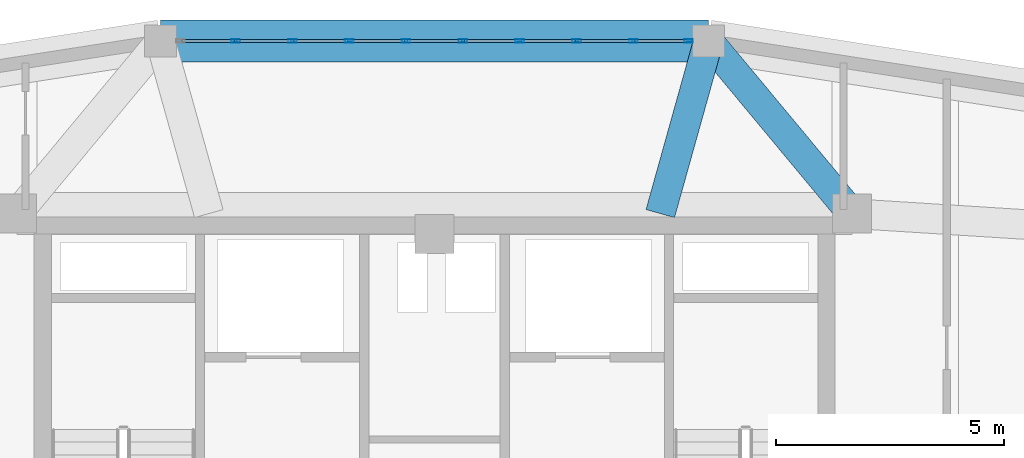
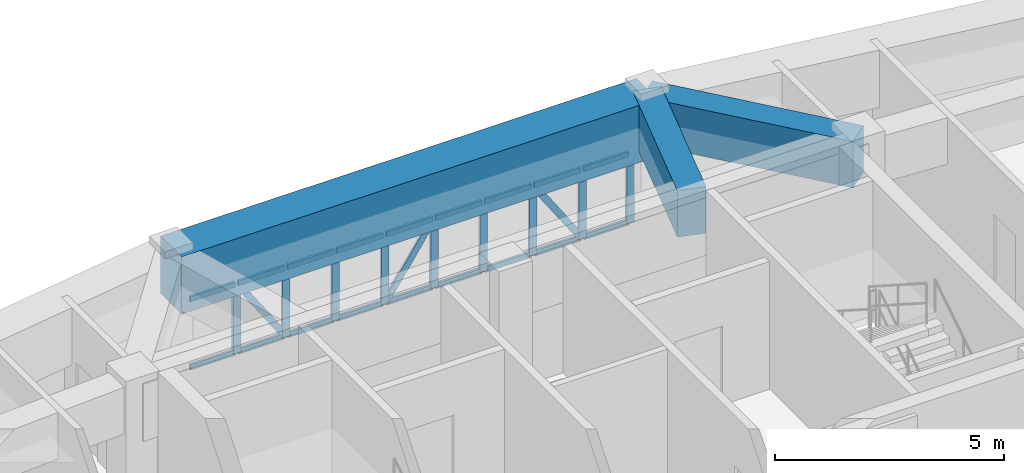
# One storey, part 11 of 15: 30 members, 3 beams, 1 element without a shape of its own.
"""IFC4 building model written with IfcOpenShell, lengths in metres."""

import ifcopenshell
import ifcopenshell.guid

model = None  # the IFC model being written
_history = None  # IfcOwnerHistory: only IFC2X3 demands one
_inside = {}  # id of a spatial element -> (the spatial element, [elements in it])
_under = {}  # id of a project, library or spatial element -> (it, [spatial elements below it])
_declared = {}  # id of a project -> (the project, [libraries it declares])
_typed = {}  # id of a type object -> (the type object, [elements of that type])
_made_of = {}  # id of a material, layer set ... -> (it, [elements and type objects made of it])


def new_model(schema):
    """Start an empty IFC model of exactly this schema.

    Asked for "IFC4X3", IfcOpenShell would pick the latest addendum, in which some entities
    have other attributes; the version numbers below select the first issue.
    IFC2X3 requires an IfcOwnerHistory on every rooted entity: one is made here for all.
    """
    global model, _history
    if schema == "IFC4X3":
        model = ifcopenshell.file(schema_version=(4, 3, 0, 0))
    else:
        model = ifcopenshell.file(schema=schema)
    _inside.clear()
    _under.clear()
    _declared.clear()
    _typed.clear()
    _made_of.clear()
    _history = None
    if model.schema == "IFC2X3":
        org = make("IfcOrganization", Name="unknown")
        user = make(
            "IfcPersonAndOrganization",
            ThePerson=make("IfcPerson", FamilyName="unknown"),
            TheOrganization=org,
        )
        app = make(
            "IfcApplication",
            ApplicationDeveloper=org,
            Version="unknown",
            ApplicationFullName="unknown",
            ApplicationIdentifier="unknown",
        )
        _history = make(
            "IfcOwnerHistory",
            OwningUser=user,
            OwningApplication=app,
            ChangeAction="ADDED",
            CreationDate=0,
        )
    return model


def make(cls, **values):
    """One entity of the class cls with the attributes given. An attribute that is None is left unset."""
    return model.create_entity(
        cls, **{name: value for name, value in values.items() if value is not None}
    )


def rooted(cls, **values):
    """An entity with a GlobalId (a new one), such as an element, a storey or a relation."""
    return make(cls, GlobalId=ifcopenshell.guid.new(), OwnerHistory=_history, **values)


def si_unit(unit_type, name, prefix=None):
    """IfcSIUnit, for example si_unit("LENGTHUNIT", "METRE", prefix="MILLI")."""
    return make("IfcSIUnit", UnitType=unit_type, Prefix=prefix, Name=name)


def derived_unit(unit_type, elements):
    """IfcDerivedUnit: a product of units, each with its exponent."""
    return make(
        "IfcDerivedUnit",
        Elements=[
            make("IfcDerivedUnitElement", Unit=unit, Exponent=power)
            for unit, power in elements
        ],
        UnitType=unit_type,
    )


def assignment(units):
    """IfcUnitAssignment: the units of a project."""
    return None if units is None else make("IfcUnitAssignment", Units=units)


def point(xyz):
    """IfcCartesianPoint."""
    return None if xyz is None else make("IfcCartesianPoint", Coordinates=xyz)


def direction(xyz):
    """IfcDirection."""
    return None if xyz is None else make("IfcDirection", DirectionRatios=xyz)


def frame(location, z_axis=None, x_axis=None):
    """IfcAxis2Placement3D, a coordinate frame: its origin and axes. An axis left out is left unset."""
    return make(
        "IfcAxis2Placement3D",
        Location=point(location),
        Axis=direction(z_axis),
        RefDirection=direction(x_axis),
    )


def frame_2d(location, x_axis=None):
    """IfcAxis2Placement2D, a coordinate frame in the plane: its origin and x axis."""
    return make(
        "IfcAxis2Placement2D", Location=point(location), RefDirection=direction(x_axis)
    )


def origin():
    """The frame at (0, 0, 0) with its axes left unset."""
    return frame((0.0, 0.0, 0.0))


def origin_2d():
    """The frame at (0, 0) in the plane with its x axis left unset."""
    return frame_2d((0.0, 0.0))


def place(relative_to, where):
    """IfcLocalPlacement: puts the frame where relative to a parent placement (None: the world)."""
    return make(
        "IfcLocalPlacement", PlacementRelTo=relative_to, RelativePlacement=where
    )


def context(
    kind, dimensions, precision=None, world=None, true_north=None, identifier=None
):
    """IfcGeometricRepresentationContext, for example the 3D "Model" context."""
    return make(
        "IfcGeometricRepresentationContext",
        ContextIdentifier=identifier,
        ContextType=kind,
        CoordinateSpaceDimension=dimensions,
        Precision=precision,
        WorldCoordinateSystem=world,
        TrueNorth=true_north,
    )


def subcontext(parent, identifier, kind, view, scale=None):
    """IfcGeometricRepresentationSubContext, for example "Body" below "Model"."""
    return make(
        "IfcGeometricRepresentationSubContext",
        ContextIdentifier=identifier,
        ContextType=kind,
        ParentContext=parent,
        TargetScale=scale,
        TargetView=view,
    )


def project(units=None, contexts=None):
    """IfcProject with its units and contexts."""
    return rooted(
        "IfcProject",
        Name="project",
        RepresentationContexts=contexts,
        UnitsInContext=assignment(units),
    )


def spatial(cls, under=None, at=None, **own):
    """A site, building, storey or space (cls), placed at a placement, below another one or the project."""
    s = rooted(cls, ObjectPlacement=at, **own)
    if under is not None:
        _under.setdefault(under.id(), (under, []))[1].append(s)
    return s


def profile(cls, at=None, kind="AREA", **sizes):
    """A parametric profile (cls). Its sizes go by their IFC names, for example OverallWidth=200.0."""
    return make(cls, ProfileType=kind, Position=at, **sizes)


def rectangle(**sizes):
    """IfcRectangleProfileDef."""
    return profile("IfcRectangleProfileDef", **sizes)


def hollow_rectangle(**sizes):
    """IfcRectangleHollowProfileDef."""
    return profile("IfcRectangleHollowProfileDef", **sizes)


def extrude(swept, where, along, depth):
    """IfcExtrudedAreaSolid: the profile swept, set in the frame where, extruded along a direction by depth."""
    return make(
        "IfcExtrudedAreaSolid",
        SweptArea=swept,
        Position=where,
        ExtrudedDirection=direction(along),
        Depth=depth,
    )


def shape(context_of_items, identifier, shape_type, items):
    """IfcShapeRepresentation: the items that make up one representation, for example the "Body"."""
    return make(
        "IfcShapeRepresentation",
        ContextOfItems=context_of_items,
        RepresentationIdentifier=identifier,
        RepresentationType=shape_type,
        Items=items,
    )


def source(mapping_origin, context_of_items, identifier, shape_type, items):
    """IfcRepresentationMap: a shape defined once, which mapped items show again and again."""
    return make(
        "IfcRepresentationMap",
        MappingOrigin=mapping_origin,
        MappedRepresentation=shape(context_of_items, identifier, shape_type, items),
    )


def transform(
    local_origin,
    x_axis=None,
    y_axis=None,
    z_axis=None,
    scale=None,
    scale2=None,
    scale3=None,
    uniform=True,
):
    """IfcCartesianTransformationOperator3D, or its non-uniform kind. x_axis, y_axis, z_axis: its Axis1, 2, 3."""
    if uniform:
        return make(
            "IfcCartesianTransformationOperator3D",
            Axis1=direction(x_axis),
            Axis2=direction(y_axis),
            LocalOrigin=point(local_origin),
            Scale=scale,
            Axis3=direction(z_axis),
        )
    return make(
        "IfcCartesianTransformationOperator3DnonUniform",
        Axis1=direction(x_axis),
        Axis2=direction(y_axis),
        LocalOrigin=point(local_origin),
        Scale=scale,
        Axis3=direction(z_axis),
        Scale2=scale2,
        Scale3=scale3,
    )


def mapped(mapping_source, mapping_target):
    """IfcMappedItem: shows the shape of a source again, moved by a transform."""
    return make(
        "IfcMappedItem", MappingSource=mapping_source, MappingTarget=mapping_target
    )


def material(Name=None, Category=None):
    """IfcMaterial."""
    return make("IfcMaterial", Name=Name, Category=Category)


def layer(
    of_material, thickness, ventilated=None, Name=None, Category=None, Priority=None
):
    """IfcMaterialLayer: one layer of a wall or slab, of a material (None: an air gap)."""
    return make(
        "IfcMaterialLayer",
        Material=of_material,
        LayerThickness=thickness,
        IsVentilated=ventilated,
        Name=Name,
        Category=Category,
        Priority=Priority,
    )


def layer_set(layers, Name=None):
    """IfcMaterialLayerSet."""
    return make("IfcMaterialLayerSet", MaterialLayers=layers, LayerSetName=Name)


def material_profile(
    of_material, cross_section, Name=None, Category=None, Priority=None
):
    """IfcMaterialProfile: a cross section and its material."""
    return make(
        "IfcMaterialProfile",
        Name=Name,
        Material=of_material,
        Profile=cross_section,
        Priority=Priority,
        Category=Category,
    )


def profile_set(profiles, Name=None, composite=None):
    """IfcMaterialProfileSet."""
    return make(
        "IfcMaterialProfileSet",
        Name=Name,
        MaterialProfiles=profiles,
        CompositeProfile=composite,
    )


def made_of(thing, what):
    """Note that an element or type object is made of a material, layer set ...; save() writes the relation."""
    if what is not None:
        _made_of.setdefault(what.id(), (what, []))[1].append(thing)
    return thing


def type_object(cls, material=None, **own):
    """A type object (cls), such as IfcWallType, which elements share."""
    return made_of(rooted(cls, **own), material)


def element(
    cls,
    number,
    at=None,
    inside=None,
    cuts=None,
    type_object=None,
    material=None,
    context=None,
    identifier="Body",
    shape_type=None,
    held_by="IfcProductDefinitionShape",
    body=None,
    shapes=None,
    **own,
):
    """One element of the class cls, such as IfcWall. Its Tag is "e" and its number.

    at: its placement. inside: the storey or other place that contains it. cuts: it is an
    opening in that element (IfcRelVoidsElement). A single representation is given by context,
    identifier, shape_type and body (its items); several are given by shapes. held_by: the class
    of the entity that holds the representations. save() writes the other relations.
    """
    e = rooted(cls, Tag="e%d" % number, ObjectPlacement=at, **own)
    if body is not None:
        shapes = [shape(context, identifier, shape_type, body)]
    if shapes is not None:
        e.Representation = make(held_by, Representations=shapes)
    if inside is not None:
        _inside.setdefault(inside.id(), (inside, []))[1].append(e)
    if cuts is not None:
        rooted(
            "IfcRelVoidsElement", RelatingBuildingElement=cuts, RelatedOpeningElement=e
        )
    if type_object is not None:
        _typed.setdefault(type_object.id(), (type_object, []))[1].append(e)
    return made_of(e, material)


def aggregate(whole, parts):
    """IfcRelAggregates: a whole, such as a stair, and the parts it consists of."""
    return rooted("IfcRelAggregates", RelatingObject=whole, RelatedObjects=parts)


def save(model, path):
    """Write the relations noted so far, then the file.

    IfcRelAggregates (storeys below a building ...), IfcRelContainedInSpatialStructure (elements
    in a storey), IfcRelDefinesByType, IfcRelAssociatesMaterial and IfcRelDeclares: one each for
    every whole, place, type object, material and project.
    """
    for whole, parts in _under.values():
        aggregate(whole, parts)
    for where, things in _inside.values():
        rooted(
            "IfcRelContainedInSpatialStructure",
            RelatedElements=things,
            RelatingStructure=where,
        )
    for kind, things in _typed.values():
        rooted("IfcRelDefinesByType", RelatedObjects=things, RelatingType=kind)
    for what, things in _made_of.values():
        rooted("IfcRelAssociatesMaterial", RelatedObjects=things, RelatingMaterial=what)
    for by, libraries in _declared.values():
        rooted("IfcRelDeclares", RelatingContext=by, RelatedDefinitions=libraries)
    model.write(path)


model = new_model("IFC4")

# Units and contexts
model_context = context("Model", 3, precision=1e-05, world=origin(), true_north=direction((0.0, 1.0)))
body_context = subcontext(model_context, "Body", "Model", "MODEL_VIEW")
ifc_project = project(units=[si_unit("LENGTHUNIT", "METRE"), si_unit("AREAUNIT", "SQUARE_METRE"), si_unit("VOLUMEUNIT", "CUBIC_METRE"), si_unit("PLANEANGLEUNIT", "RADIAN"), si_unit("MASSUNIT", "GRAM", prefix="KILO"), derived_unit("THERMALTRANSMITTANCEUNIT", [(si_unit("POWERUNIT", "WATT"), 1), (si_unit("LENGTHUNIT", "METRE"), -2), (si_unit("THERMODYNAMICTEMPERATUREUNIT", "KELVIN"), -1)])], contexts=[model_context])

# Site, building, storey
site_placement = place(None, origin())
site = spatial("IfcSite", under=ifc_project, at=site_placement, CompositionType="ELEMENT")
building_placement = place(site_placement, origin())
building = spatial("IfcBuilding", under=site, at=building_placement, Name="Korsvarv Bourse and Concert Hall", CompositionType="ELEMENT")
storey_placement = place(building_placement, frame((0.0, 0.0, 250.199951171875)))
storey = spatial("IfcBuildingStorey", under=building, at=storey_placement, Name="L65", CompositionType="ELEMENT", Elevation=250.199951171875)

# Beams
ifc_material_1 = material(Name="Concrete C50/60", Category="concrete")
ifc_material_profile_1 = material_profile(ifc_material_1, rectangle(XDim=0.919921875, YDim=1.530029296875, at=origin_2d()), Name="RC-BM 920x1530")
ifc_profile_set_1 = profile_set([ifc_material_profile_1], Name="Concrete C50/60")
beam_type_1 = type_object("IfcBeamType", Name="BM-TR-154", PredefinedType="BEAM", material=ifc_profile_set_1)
shared_shape_1 = source(origin(), body_context, "Body", "SweptSolid", [
    extrude(rectangle(XDim=0.919921875, YDim=1.530029296875, at=origin_2d()), origin(), (0.0, 0.0, 1.0), 12.0087890625),
])
beam_1_placement = place(storey_placement, frame((42.00439453125, 51.03271484375, 2.64501953125), z_axis=(-1.0, 0.0, 0.0), x_axis=(0.0, -1.0, 0.0)))
element("IfcBeam", 1, at=beam_1_placement, inside=storey, type_object=beam_type_1, Name="L65 beam B-TR6", PredefinedType="BEAM", context=body_context, shape_type="MappedRepresentation", body=[
    mapped(shared_shape_1, transform((0.0, 0.0, 0.0), scale=1.0)),
])
ifc_material_profile_2 = material_profile(ifc_material_1, rectangle(XDim=0.64990234375, YDim=1.239990234375, at=origin_2d()), Name="RC-BM 650x1240")
ifc_profile_set_2 = profile_set([ifc_material_profile_2], Name="Concrete C50/60")
beam_type_2 = type_object("IfcBeamType", Name="BM-TR-SPN", PredefinedType="BEAM", material=ifc_profile_set_2)
shared_shape_2 = source(origin(), body_context, "Body", "SweptSolid", [
    extrude(rectangle(XDim=0.64990234375, YDim=1.239990234375, at=origin_2d()), origin(), (0.0, 0.0, 1.0), 4.919677734375),
])
beam_2_placement = place(storey_placement, frame((42.00439453125, 51.03271484375, 2.7900390625), z_axis=(0.6393737664, -0.768896083251, 0.0), x_axis=(0.768896083251, 0.6393737664, 0.0)))
element("IfcBeam", 2, at=beam_2_placement, inside=storey, type_object=beam_type_2, Name="L65 beam B-TRS", PredefinedType="BEAM", context=body_context, shape_type="MappedRepresentation", body=[
    mapped(shared_shape_2, transform((0.0, 0.0, 0.0), scale=1.0)),
])
shared_shape_3 = source(origin(), body_context, "Body", "SweptSolid", [
    extrude(rectangle(XDim=0.64990234375, YDim=1.239990234375, at=origin_2d()), origin(), (0.0, 0.0, 1.0), 3.927734375),
])
beam_3_placement = place(storey_placement, frame((42.00439453125, 51.03271484375, 2.7900390625), z_axis=(-0.26920797883, -0.963082065109, 0.0), x_axis=(0.963082065109, -0.26920797883, 0.0)))
element("IfcBeam", 3, at=beam_3_placement, inside=storey, type_object=beam_type_2, Name="L65 beam B-TRS", PredefinedType="BEAM", context=body_context, shape_type="MappedRepresentation", body=[
    mapped(shared_shape_3, transform((0.0, 0.0, 0.0), scale=1.0)),
])

# Curtain wall, members
ifc_material_2 = material(Name="Anodised aluminium and triple low-E glazing", Category="glass")
ifc_layer = layer(ifc_material_2, 0.199951171875)
ifc_layer_set = layer_set([ifc_layer], Name="Anodised aluminium and triple low-E glazing")
curtain_wall_type = type_object("IfcCurtainWallType", Name="CW-SYS-3", PredefinedType="NOTDEFINED", material=ifc_layer_set)
curtain_wall_placement = place(storey_placement, origin())
curtain_wall = element("IfcCurtainWall", 4, at=curtain_wall_placement, inside=storey, type_object=curtain_wall_type, Name="L65 CW3 curtain wall CW-L65-F03", PredefinedType="NOTDEFINED")
ifc_material_3 = material(Name="Extruded aluminium EN AW-6063 T66", Category="aluminium")
ifc_material_profile_3 = material_profile(ifc_material_3, hollow_rectangle(XDim=0.06494140625, YDim=0.139892578125, WallThickness=0.00390625, at=origin_2d()), Name="ALU-T 65x140")
ifc_profile_set_3 = profile_set([ifc_material_profile_3], Name="Extruded aluminium EN AW-6063 T66")
member_type_1 = type_object("IfcMemberType", Name="CWT-140", PredefinedType="USERDEFINED", material=ifc_profile_set_3)
shared_shape_4 = source(origin(), body_context, "Body", "SweptSolid", [
    extrude(hollow_rectangle(XDim=0.06494140625, YDim=0.139892578125, WallThickness=0.00390625, at=origin_2d()), origin(), (0.0, 0.0, 1.0), 1.140380859375),
])
member_1_placement = place(storey_placement, frame((41.534423828125, 51.03271484375, 0.032470703125), z_axis=(-1.0, 0.0, 0.0), x_axis=(0.0, -1.0, 0.0)))
member_1 = element("IfcMember", 5, at=member_1_placement, type_object=member_type_1, Name="CW3 transom 1.1", ObjectType="TRANSOM", PredefinedType="USERDEFINED", context=body_context, shape_type="MappedRepresentation", body=[
    mapped(shared_shape_4, transform((0.0, 0.0, 0.0), scale=1.0)),
])
member_2_placement = place(storey_placement, frame((41.534423828125, 51.03271484375, 1.84765625), z_axis=(-1.0, 0.0, 0.0), x_axis=(0.0, -1.0, 0.0)))
member_2 = element("IfcMember", 6, at=member_2_placement, type_object=member_type_1, Name="CW3 transom 1.2", ObjectType="TRANSOM", PredefinedType="USERDEFINED", context=body_context, shape_type="MappedRepresentation", body=[
    mapped(shared_shape_4, transform((0.0, 0.0, 0.0), scale=1.0)),
])
member_3_placement = place(storey_placement, frame((31.60595703125, 51.03271484375, 0.032470703125), z_axis=(-1.0, 0.0, 0.0), x_axis=(0.0, -1.0, 0.0)))
member_3 = element("IfcMember", 7, at=member_3_placement, type_object=member_type_1, Name="CW3 transom 9.1", ObjectType="TRANSOM", PredefinedType="USERDEFINED", context=body_context, shape_type="MappedRepresentation", body=[
    mapped(shared_shape_4, transform((0.0, 0.0, 0.0), scale=1.0)),
])
member_4_placement = place(storey_placement, frame((31.60595703125, 51.03271484375, 1.84765625), z_axis=(-1.0, 0.0, 0.0), x_axis=(0.0, -1.0, 0.0)))
member_4 = element("IfcMember", 8, at=member_4_placement, type_object=member_type_1, Name="CW3 transom 9.2", ObjectType="TRANSOM", PredefinedType="USERDEFINED", context=body_context, shape_type="MappedRepresentation", body=[
    mapped(shared_shape_4, transform((0.0, 0.0, 0.0), scale=1.0)),
])
ifc_material_profile_4 = material_profile(ifc_material_3, hollow_rectangle(XDim=0.070068359375, YDim=0.18994140625, WallThickness=0.0048828125, at=origin_2d()), Name="ALU-M 70x190")
ifc_profile_set_4 = profile_set([ifc_material_profile_4], Name="Extruded aluminium EN AW-6063 T66")
member_type_2 = type_object("IfcMemberType", Name="CWM-190", PredefinedType="MULLION", material=ifc_profile_set_4)
shared_shape_5 = source(origin(), body_context, "Body", "SweptSolid", [
    extrude(hollow_rectangle(XDim=0.070068359375, YDim=0.18994140625, WallThickness=0.0048828125, at=origin_2d()), origin(), (0.0, 0.0, 1.0), 1.880126953125),
])
member_5_placement = place(storey_placement, frame((41.5693359375, 51.03271484375, 0.0), z_axis=(0.0, 0.0, 1.0), x_axis=(0.0, -1.0, 0.0)))
member_5 = element("IfcMember", 9, at=member_5_placement, type_object=member_type_2, Name="CW3 mullion 1", PredefinedType="MULLION", context=body_context, shape_type="MappedRepresentation", body=[
    mapped(shared_shape_5, transform((0.0, 0.0, 0.0), scale=1.0)),
])
member_6_placement = place(storey_placement, frame((40.35888671875, 51.03271484375, 0.0), z_axis=(0.0, 0.0, 1.0), x_axis=(0.0, -1.0, 0.0)))
member_6 = element("IfcMember", 10, at=member_6_placement, type_object=member_type_2, Name="CW3 mullion 2", PredefinedType="MULLION", context=body_context, shape_type="MappedRepresentation", body=[
    mapped(shared_shape_5, transform((0.0, 0.0, 0.0), scale=1.0)),
])
member_7_placement = place(storey_placement, frame((39.113525390625, 51.03271484375, 0.0), z_axis=(0.0, 0.0, 1.0), x_axis=(0.0, -1.0, 0.0)))
member_7 = element("IfcMember", 11, at=member_7_placement, type_object=member_type_2, Name="CW3 mullion 3", PredefinedType="MULLION", context=body_context, shape_type="MappedRepresentation", body=[
    mapped(shared_shape_5, transform((0.0, 0.0, 0.0), scale=1.0)),
])
member_8_placement = place(storey_placement, frame((37.8681640625, 51.03271484375, 0.0), z_axis=(0.0, 0.0, 1.0), x_axis=(0.0, -1.0, 0.0)))
member_8 = element("IfcMember", 12, at=member_8_placement, type_object=member_type_2, Name="CW3 mullion 4", PredefinedType="MULLION", context=body_context, shape_type="MappedRepresentation", body=[
    mapped(shared_shape_5, transform((0.0, 0.0, 0.0), scale=1.0)),
])
member_9_placement = place(storey_placement, frame((36.622802734375, 51.03271484375, 0.0), z_axis=(0.0, 0.0, 1.0), x_axis=(0.0, -1.0, 0.0)))
member_9 = element("IfcMember", 13, at=member_9_placement, type_object=member_type_2, Name="CW3 mullion 5", PredefinedType="MULLION", context=body_context, shape_type="MappedRepresentation", body=[
    mapped(shared_shape_5, transform((0.0, 0.0, 0.0), scale=1.0)),
])
member_10_placement = place(storey_placement, frame((35.377197265625, 51.03271484375, 0.0), z_axis=(0.0, 0.0, 1.0), x_axis=(0.0, -1.0, 0.0)))
member_10 = element("IfcMember", 14, at=member_10_placement, type_object=member_type_2, Name="CW3 mullion 6", PredefinedType="MULLION", context=body_context, shape_type="MappedRepresentation", body=[
    mapped(shared_shape_5, transform((0.0, 0.0, 0.0), scale=1.0)),
])
member_11_placement = place(storey_placement, frame((34.1318359375, 51.03271484375, 0.0), z_axis=(0.0, 0.0, 1.0), x_axis=(0.0, -1.0, 0.0)))
member_11 = element("IfcMember", 15, at=member_11_placement, type_object=member_type_2, Name="CW3 mullion 7", PredefinedType="MULLION", context=body_context, shape_type="MappedRepresentation", body=[
    mapped(shared_shape_5, transform((0.0, 0.0, 0.0), scale=1.0)),
])
member_12_placement = place(storey_placement, frame((32.886474609375, 51.03271484375, 0.0), z_axis=(0.0, 0.0, 1.0), x_axis=(0.0, -1.0, 0.0)))
member_12 = element("IfcMember", 16, at=member_12_placement, type_object=member_type_2, Name="CW3 mullion 8", PredefinedType="MULLION", context=body_context, shape_type="MappedRepresentation", body=[
    mapped(shared_shape_5, transform((0.0, 0.0, 0.0), scale=1.0)),
])
member_13_placement = place(storey_placement, frame((31.64111328125, 51.03271484375, 0.0), z_axis=(0.0, 0.0, 1.0), x_axis=(0.0, -1.0, 0.0)))
member_13 = element("IfcMember", 17, at=member_13_placement, type_object=member_type_2, Name="CW3 mullion 9", PredefinedType="MULLION", context=body_context, shape_type="MappedRepresentation", body=[
    mapped(shared_shape_5, transform((0.0, 0.0, 0.0), scale=1.0)),
])
shared_shape_6 = source(origin(), body_context, "Body", "SweptSolid", [
    extrude(hollow_rectangle(XDim=0.06494140625, YDim=0.139892578125, WallThickness=0.00390625, at=origin_2d()), origin(), (0.0, 0.0, 1.0), 1.175537109375),
])
member_14_placement = place(storey_placement, frame((40.323974609375, 51.03271484375, 0.032470703125), z_axis=(-1.0, 0.0, 0.0), x_axis=(0.0, -1.0, 0.0)))
member_14 = element("IfcMember", 18, at=member_14_placement, type_object=member_type_1, Name="CW3 transom 2.1", ObjectType="TRANSOM", PredefinedType="USERDEFINED", context=body_context, shape_type="MappedRepresentation", body=[
    mapped(shared_shape_6, transform((0.0, 0.0, 0.0), scale=1.0)),
])
member_15_placement = place(storey_placement, frame((40.323974609375, 51.03271484375, 1.84765625), z_axis=(-1.0, 0.0, 0.0), x_axis=(0.0, -1.0, 0.0)))
member_15 = element("IfcMember", 19, at=member_15_placement, type_object=member_type_1, Name="CW3 transom 2.2", ObjectType="TRANSOM", PredefinedType="USERDEFINED", context=body_context, shape_type="MappedRepresentation", body=[
    mapped(shared_shape_6, transform((0.0, 0.0, 0.0), scale=1.0)),
])
member_16_placement = place(storey_placement, frame((39.07861328125, 51.03271484375, 0.032470703125), z_axis=(-1.0, 0.0, 0.0), x_axis=(0.0, -1.0, 0.0)))
member_16 = element("IfcMember", 20, at=member_16_placement, type_object=member_type_1, Name="CW3 transom 3.1", ObjectType="TRANSOM", PredefinedType="USERDEFINED", context=body_context, shape_type="MappedRepresentation", body=[
    mapped(shared_shape_6, transform((0.0, 0.0, 0.0), scale=1.0)),
])
member_17_placement = place(storey_placement, frame((39.07861328125, 51.03271484375, 1.84765625), z_axis=(-1.0, 0.0, 0.0), x_axis=(0.0, -1.0, 0.0)))
member_17 = element("IfcMember", 21, at=member_17_placement, type_object=member_type_1, Name="CW3 transom 3.2", ObjectType="TRANSOM", PredefinedType="USERDEFINED", context=body_context, shape_type="MappedRepresentation", body=[
    mapped(shared_shape_6, transform((0.0, 0.0, 0.0), scale=1.0)),
])
member_18_placement = place(storey_placement, frame((37.833251953125, 51.03271484375, 0.032470703125), z_axis=(-1.0, 0.0, 0.0), x_axis=(0.0, -1.0, 0.0)))
member_18 = element("IfcMember", 22, at=member_18_placement, type_object=member_type_1, Name="CW3 transom 4.1", ObjectType="TRANSOM", PredefinedType="USERDEFINED", context=body_context, shape_type="MappedRepresentation", body=[
    mapped(shared_shape_6, transform((0.0, 0.0, 0.0), scale=1.0)),
])
member_19_placement = place(storey_placement, frame((37.833251953125, 51.03271484375, 1.84765625), z_axis=(-1.0, 0.0, 0.0), x_axis=(0.0, -1.0, 0.0)))
member_19 = element("IfcMember", 23, at=member_19_placement, type_object=member_type_1, Name="CW3 transom 4.2", ObjectType="TRANSOM", PredefinedType="USERDEFINED", context=body_context, shape_type="MappedRepresentation", body=[
    mapped(shared_shape_6, transform((0.0, 0.0, 0.0), scale=1.0)),
])
member_20_placement = place(storey_placement, frame((35.34228515625, 51.03271484375, 0.032470703125), z_axis=(-1.0, 0.0, 0.0), x_axis=(0.0, -1.0, 0.0)))
member_20 = element("IfcMember", 24, at=member_20_placement, type_object=member_type_1, Name="CW3 transom 6.1", ObjectType="TRANSOM", PredefinedType="USERDEFINED", context=body_context, shape_type="MappedRepresentation", body=[
    mapped(shared_shape_6, transform((0.0, 0.0, 0.0), scale=1.0)),
])
member_21_placement = place(storey_placement, frame((35.34228515625, 51.03271484375, 1.84765625), z_axis=(-1.0, 0.0, 0.0), x_axis=(0.0, -1.0, 0.0)))
member_21 = element("IfcMember", 25, at=member_21_placement, type_object=member_type_1, Name="CW3 transom 6.2", ObjectType="TRANSOM", PredefinedType="USERDEFINED", context=body_context, shape_type="MappedRepresentation", body=[
    mapped(shared_shape_6, transform((0.0, 0.0, 0.0), scale=1.0)),
])
member_22_placement = place(storey_placement, frame((34.096923828125, 51.03271484375, 0.032470703125), z_axis=(-1.0, 0.0, 0.0), x_axis=(0.0, -1.0, 0.0)))
member_22 = element("IfcMember", 26, at=member_22_placement, type_object=member_type_1, Name="CW3 transom 7.1", ObjectType="TRANSOM", PredefinedType="USERDEFINED", context=body_context, shape_type="MappedRepresentation", body=[
    mapped(shared_shape_6, transform((0.0, 0.0, 0.0), scale=1.0)),
])
member_23_placement = place(storey_placement, frame((34.096923828125, 51.03271484375, 1.84765625), z_axis=(-1.0, 0.0, 0.0), x_axis=(0.0, -1.0, 0.0)))
member_23 = element("IfcMember", 27, at=member_23_placement, type_object=member_type_1, Name="CW3 transom 7.2", ObjectType="TRANSOM", PredefinedType="USERDEFINED", context=body_context, shape_type="MappedRepresentation", body=[
    mapped(shared_shape_6, transform((0.0, 0.0, 0.0), scale=1.0)),
])
member_24_placement = place(storey_placement, frame((32.8515625, 51.03271484375, 0.032470703125), z_axis=(-1.0, 0.0, 0.0), x_axis=(0.0, -1.0, 0.0)))
member_24 = element("IfcMember", 28, at=member_24_placement, type_object=member_type_1, Name="CW3 transom 8.1", ObjectType="TRANSOM", PredefinedType="USERDEFINED", context=body_context, shape_type="MappedRepresentation", body=[
    mapped(shared_shape_6, transform((0.0, 0.0, 0.0), scale=1.0)),
])
member_25_placement = place(storey_placement, frame((32.8515625, 51.03271484375, 1.84765625), z_axis=(-1.0, 0.0, 0.0), x_axis=(0.0, -1.0, 0.0)))
member_25 = element("IfcMember", 29, at=member_25_placement, type_object=member_type_1, Name="CW3 transom 8.2", ObjectType="TRANSOM", PredefinedType="USERDEFINED", context=body_context, shape_type="MappedRepresentation", body=[
    mapped(shared_shape_6, transform((0.0, 0.0, 0.0), scale=1.0)),
])
ifc_material_profile_5 = material_profile(ifc_material_3, hollow_rectangle(XDim=0.06494140625, YDim=0.1650390625, WallThickness=0.0048828125, at=origin_2d()), Name="ALU-M 65x165")
ifc_profile_set_5 = profile_set([ifc_material_profile_5], Name="Extruded aluminium EN AW-6063 T66")
member_type_3 = type_object("IfcMemberType", Name="CWM-165", PredefinedType="MULLION", material=ifc_profile_set_5)
shared_shape_7 = source(origin(), body_context, "Body", "SweptSolid", [
    extrude(hollow_rectangle(XDim=0.06494140625, YDim=0.1650390625, WallThickness=0.0048828125, at=origin_2d()), origin(), (0.0, 0.0, 1.0), 2.108154296875),
])
member_26_placement = place(storey_placement, frame((40.323974609375, 51.03271484375, 0.06494140625), z_axis=(-0.557609783432, 0.0, 0.830103204078), x_axis=(0.0, -1.0, 0.0)))
member_26 = element("IfcMember", 30, at=member_26_placement, type_object=member_type_3, Name="CW3 diagonal mullion 2", PredefinedType="MULLION", context=body_context, shape_type="MappedRepresentation", body=[
    mapped(shared_shape_7, transform((0.0, 0.0, 0.0), scale=1.0)),
])
member_27_placement = place(storey_placement, frame((35.412353515625, 51.03271484375, 0.06494140625), z_axis=(0.55752997655, 0.0, 0.830156807626), x_axis=(0.0, 1.0, 0.0)))
member_27 = element("IfcMember", 31, at=member_27_placement, type_object=member_type_3, Name="CW3 diagonal mullion 5", PredefinedType="MULLION", context=body_context, shape_type="MappedRepresentation", body=[
    mapped(shared_shape_7, transform((0.0, 0.0, 0.0), scale=1.0)),
])
member_28_placement = place(storey_placement, frame((32.8515625, 51.03271484375, 0.06494140625), z_axis=(-0.557609783432, 0.0, 0.830103204078), x_axis=(0.0, -1.0, 0.0)))
member_28 = element("IfcMember", 32, at=member_28_placement, type_object=member_type_3, Name="CW3 diagonal mullion 8", PredefinedType="MULLION", context=body_context, shape_type="MappedRepresentation", body=[
    mapped(shared_shape_7, transform((0.0, 0.0, 0.0), scale=1.0)),
])
shared_shape_8 = source(origin(), body_context, "Body", "SweptSolid", [
    extrude(hollow_rectangle(XDim=0.06494140625, YDim=0.139892578125, WallThickness=0.00390625, at=origin_2d()), origin(), (0.0, 0.0, 1.0), 1.17529296875),
])
member_29_placement = place(storey_placement, frame((36.587646484375, 51.03271484375, 0.032470703125), z_axis=(-1.0, 0.0, 0.0), x_axis=(0.0, -1.0, 0.0)))
member_29 = element("IfcMember", 33, at=member_29_placement, type_object=member_type_1, Name="CW3 transom 5.1", ObjectType="TRANSOM", PredefinedType="USERDEFINED", context=body_context, shape_type="MappedRepresentation", body=[
    mapped(shared_shape_8, transform((0.0, 0.0, 0.0), scale=1.0)),
])
member_30_placement = place(storey_placement, frame((36.587646484375, 51.03271484375, 1.84765625), z_axis=(-1.0, 0.0, 0.0), x_axis=(0.0, -1.0, 0.0)))
member_30 = element("IfcMember", 34, at=member_30_placement, type_object=member_type_1, Name="CW3 transom 5.2", ObjectType="TRANSOM", PredefinedType="USERDEFINED", context=body_context, shape_type="MappedRepresentation", body=[
    mapped(shared_shape_8, transform((0.0, 0.0, 0.0), scale=1.0)),
])
aggregate(curtain_wall, [member_5, member_6, member_7, member_8, member_9, member_10, member_11, member_12, member_13, member_1, member_2, member_14, member_15, member_26, member_16, member_17, member_18, member_19, member_29, member_30, member_27, member_20, member_21, member_22, member_23, member_24, member_25, member_28, member_3, member_4])

save(model, "model.ifc")
